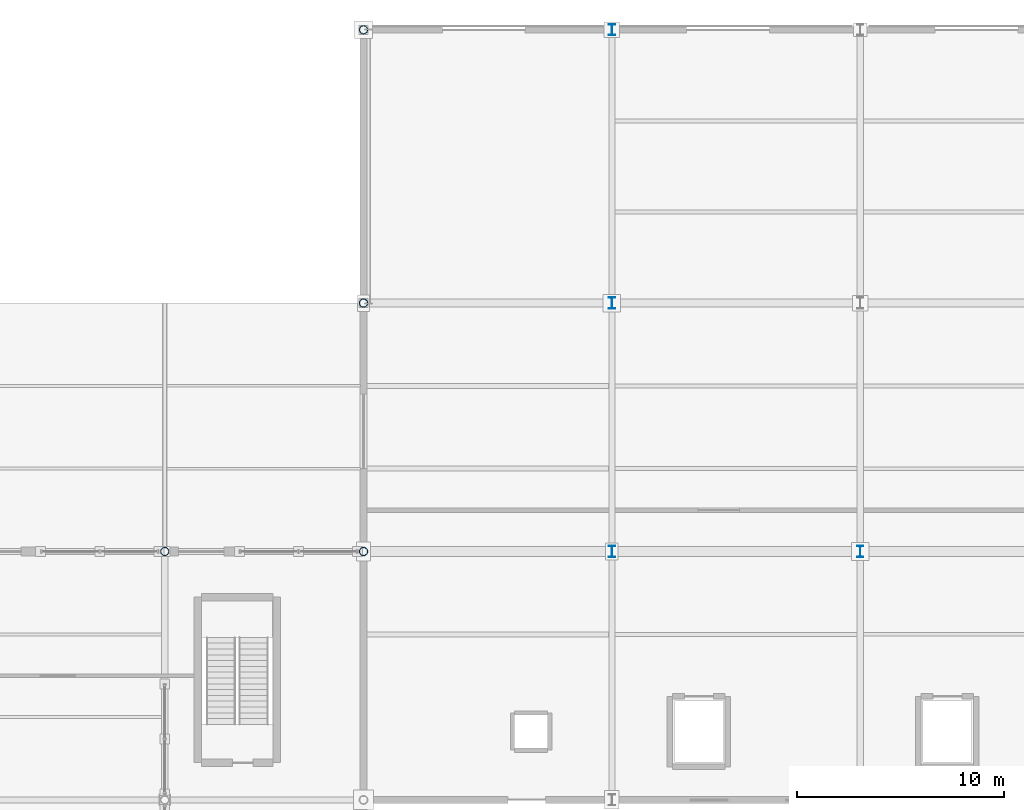
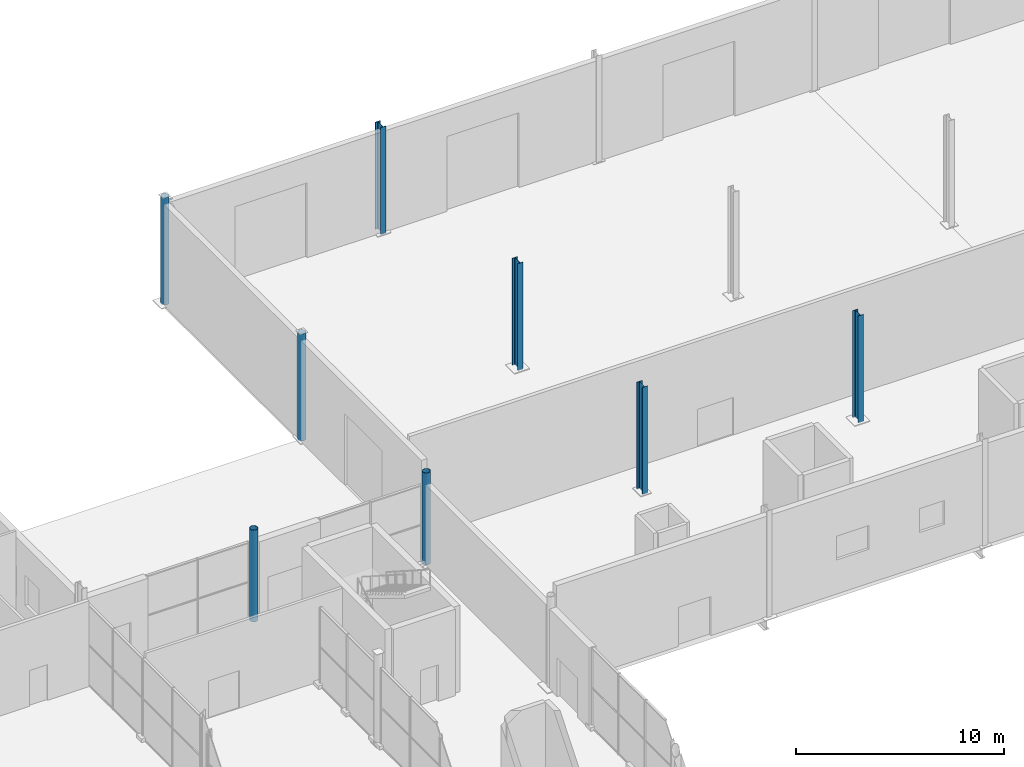
# One storey, part 15 of 196: 8 columns.
"""IFC4 building model written with IfcOpenShell, lengths in metres."""

import ifcopenshell
import ifcopenshell.guid

model = None  # the IFC model being written
_history = None  # IfcOwnerHistory: only IFC2X3 demands one
_inside = {}  # id of a spatial element -> (the spatial element, [elements in it])
_under = {}  # id of a project, library or spatial element -> (it, [spatial elements below it])
_declared = {}  # id of a project -> (the project, [libraries it declares])
_typed = {}  # id of a type object -> (the type object, [elements of that type])
_made_of = {}  # id of a material, layer set ... -> (it, [elements and type objects made of it])


def new_model(schema):
    """Start an empty IFC model of exactly this schema.

    Asked for "IFC4X3", IfcOpenShell would pick the latest addendum, in which some entities
    have other attributes; the version numbers below select the first issue.
    IFC2X3 requires an IfcOwnerHistory on every rooted entity: one is made here for all.
    """
    global model, _history
    if schema == "IFC4X3":
        model = ifcopenshell.file(schema_version=(4, 3, 0, 0))
    else:
        model = ifcopenshell.file(schema=schema)
    _inside.clear()
    _under.clear()
    _declared.clear()
    _typed.clear()
    _made_of.clear()
    _history = None
    if model.schema == "IFC2X3":
        org = make("IfcOrganization", Name="unknown")
        user = make(
            "IfcPersonAndOrganization",
            ThePerson=make("IfcPerson", FamilyName="unknown"),
            TheOrganization=org,
        )
        app = make(
            "IfcApplication",
            ApplicationDeveloper=org,
            Version="unknown",
            ApplicationFullName="unknown",
            ApplicationIdentifier="unknown",
        )
        _history = make(
            "IfcOwnerHistory",
            OwningUser=user,
            OwningApplication=app,
            ChangeAction="ADDED",
            CreationDate=0,
        )
    return model


def make(cls, **values):
    """One entity of the class cls with the attributes given. An attribute that is None is left unset."""
    return model.create_entity(
        cls, **{name: value for name, value in values.items() if value is not None}
    )


def rooted(cls, **values):
    """An entity with a GlobalId (a new one), such as an element, a storey or a relation."""
    return make(cls, GlobalId=ifcopenshell.guid.new(), OwnerHistory=_history, **values)


def si_unit(unit_type, name, prefix=None):
    """IfcSIUnit, for example si_unit("LENGTHUNIT", "METRE", prefix="MILLI")."""
    return make("IfcSIUnit", UnitType=unit_type, Prefix=prefix, Name=name)


def assignment(units):
    """IfcUnitAssignment: the units of a project."""
    return None if units is None else make("IfcUnitAssignment", Units=units)


def point(xyz):
    """IfcCartesianPoint."""
    return None if xyz is None else make("IfcCartesianPoint", Coordinates=xyz)


def direction(xyz):
    """IfcDirection."""
    return None if xyz is None else make("IfcDirection", DirectionRatios=xyz)


def frame(location, z_axis=None, x_axis=None):
    """IfcAxis2Placement3D, a coordinate frame: its origin and axes. An axis left out is left unset."""
    return make(
        "IfcAxis2Placement3D",
        Location=point(location),
        Axis=direction(z_axis),
        RefDirection=direction(x_axis),
    )


def frame_2d(location, x_axis=None):
    """IfcAxis2Placement2D, a coordinate frame in the plane: its origin and x axis."""
    return make(
        "IfcAxis2Placement2D", Location=point(location), RefDirection=direction(x_axis)
    )


def origin():
    """The frame at (0, 0, 0) with its axes left unset."""
    return frame((0.0, 0.0, 0.0))


def origin_2d():
    """The frame at (0, 0) in the plane with its x axis left unset."""
    return frame_2d((0.0, 0.0))


def place(relative_to, where):
    """IfcLocalPlacement: puts the frame where relative to a parent placement (None: the world)."""
    return make(
        "IfcLocalPlacement", PlacementRelTo=relative_to, RelativePlacement=where
    )


def context(
    kind, dimensions, precision=None, world=None, true_north=None, identifier=None
):
    """IfcGeometricRepresentationContext, for example the 3D "Model" context."""
    return make(
        "IfcGeometricRepresentationContext",
        ContextIdentifier=identifier,
        ContextType=kind,
        CoordinateSpaceDimension=dimensions,
        Precision=precision,
        WorldCoordinateSystem=world,
        TrueNorth=true_north,
    )


def subcontext(parent, identifier, kind, view, scale=None):
    """IfcGeometricRepresentationSubContext, for example "Body" below "Model"."""
    return make(
        "IfcGeometricRepresentationSubContext",
        ContextIdentifier=identifier,
        ContextType=kind,
        ParentContext=parent,
        TargetScale=scale,
        TargetView=view,
    )


def project(units=None, contexts=None):
    """IfcProject with its units and contexts."""
    return rooted(
        "IfcProject",
        Name="project",
        RepresentationContexts=contexts,
        UnitsInContext=assignment(units),
    )


def spatial(cls, under=None, at=None, **own):
    """A site, building, storey or space (cls), placed at a placement, below another one or the project."""
    s = rooted(cls, ObjectPlacement=at, **own)
    if under is not None:
        _under.setdefault(under.id(), (under, []))[1].append(s)
    return s


def profile(cls, at=None, kind="AREA", **sizes):
    """A parametric profile (cls). Its sizes go by their IFC names, for example OverallWidth=200.0."""
    return make(cls, ProfileType=kind, Position=at, **sizes)


def hollow_circle(**sizes):
    """IfcCircleHollowProfileDef."""
    return profile("IfcCircleHollowProfileDef", **sizes)


def i_section(**sizes):
    """IfcIShapeProfileDef."""
    return profile("IfcIShapeProfileDef", **sizes)


def extrude(swept, where, along, depth):
    """IfcExtrudedAreaSolid: the profile swept, set in the frame where, extruded along a direction by depth."""
    return make(
        "IfcExtrudedAreaSolid",
        SweptArea=swept,
        Position=where,
        ExtrudedDirection=direction(along),
        Depth=depth,
    )


def shape(context_of_items, identifier, shape_type, items):
    """IfcShapeRepresentation: the items that make up one representation, for example the "Body"."""
    return make(
        "IfcShapeRepresentation",
        ContextOfItems=context_of_items,
        RepresentationIdentifier=identifier,
        RepresentationType=shape_type,
        Items=items,
    )


def material(Name=None, Category=None):
    """IfcMaterial."""
    return make("IfcMaterial", Name=Name, Category=Category)


def material_profile(
    of_material, cross_section, Name=None, Category=None, Priority=None
):
    """IfcMaterialProfile: a cross section and its material."""
    return make(
        "IfcMaterialProfile",
        Name=Name,
        Material=of_material,
        Profile=cross_section,
        Priority=Priority,
        Category=Category,
    )


def profile_set(profiles, Name=None, composite=None):
    """IfcMaterialProfileSet."""
    return make(
        "IfcMaterialProfileSet",
        Name=Name,
        MaterialProfiles=profiles,
        CompositeProfile=composite,
    )


def made_of(thing, what):
    """Note that an element or type object is made of a material, layer set ...; save() writes the relation."""
    if what is not None:
        _made_of.setdefault(what.id(), (what, []))[1].append(thing)
    return thing


def type_object(cls, material=None, **own):
    """A type object (cls), such as IfcWallType, which elements share."""
    return made_of(rooted(cls, **own), material)


def element(
    cls,
    number,
    at=None,
    inside=None,
    cuts=None,
    type_object=None,
    material=None,
    context=None,
    identifier="Body",
    shape_type=None,
    held_by="IfcProductDefinitionShape",
    body=None,
    shapes=None,
    **own,
):
    """One element of the class cls, such as IfcWall. Its Tag is "e" and its number.

    at: its placement. inside: the storey or other place that contains it. cuts: it is an
    opening in that element (IfcRelVoidsElement). A single representation is given by context,
    identifier, shape_type and body (its items); several are given by shapes. held_by: the class
    of the entity that holds the representations. save() writes the other relations.
    """
    e = rooted(cls, Tag="e%d" % number, ObjectPlacement=at, **own)
    if body is not None:
        shapes = [shape(context, identifier, shape_type, body)]
    if shapes is not None:
        e.Representation = make(held_by, Representations=shapes)
    if inside is not None:
        _inside.setdefault(inside.id(), (inside, []))[1].append(e)
    if cuts is not None:
        rooted(
            "IfcRelVoidsElement", RelatingBuildingElement=cuts, RelatedOpeningElement=e
        )
    if type_object is not None:
        _typed.setdefault(type_object.id(), (type_object, []))[1].append(e)
    return made_of(e, material)


def aggregate(whole, parts):
    """IfcRelAggregates: a whole, such as a stair, and the parts it consists of."""
    return rooted("IfcRelAggregates", RelatingObject=whole, RelatedObjects=parts)


def save(model, path):
    """Write the relations noted so far, then the file.

    IfcRelAggregates (storeys below a building ...), IfcRelContainedInSpatialStructure (elements
    in a storey), IfcRelDefinesByType, IfcRelAssociatesMaterial and IfcRelDeclares: one each for
    every whole, place, type object, material and project.
    """
    for whole, parts in _under.values():
        aggregate(whole, parts)
    for where, things in _inside.values():
        rooted(
            "IfcRelContainedInSpatialStructure",
            RelatedElements=things,
            RelatingStructure=where,
        )
    for kind, things in _typed.values():
        rooted("IfcRelDefinesByType", RelatedObjects=things, RelatingType=kind)
    for what, things in _made_of.values():
        rooted("IfcRelAssociatesMaterial", RelatedObjects=things, RelatingMaterial=what)
    for by, libraries in _declared.values():
        rooted("IfcRelDeclares", RelatingContext=by, RelatedDefinitions=libraries)
    model.write(path)


model = new_model("IFC4")

# Units and contexts
model_context = context("Model", 3, precision=1e-05, world=origin(), true_north=direction((0.0, 1.0)))
body_context = subcontext(model_context, "Body", "Model", "MODEL_VIEW")
ifc_project = project(units=[si_unit("LENGTHUNIT", "METRE"), si_unit("AREAUNIT", "SQUARE_METRE"), si_unit("VOLUMEUNIT", "CUBIC_METRE"), si_unit("PLANEANGLEUNIT", "RADIAN"), si_unit("MASSUNIT", "GRAM", prefix="KILO")], contexts=[model_context])

# Site, building, storey
site_placement = place(None, origin())
site = spatial("IfcSite", under=ifc_project, at=site_placement, CompositionType="ELEMENT")
building_placement = place(site_placement, origin())
building = spatial("IfcBuilding", under=site, at=building_placement, Name="Merenkruunu Market Hall", CompositionType="ELEMENT")
storey_placement = place(building_placement, origin())
storey = spatial("IfcBuildingStorey", under=building, at=storey_placement, Name="L00", CompositionType="ELEMENT", Elevation=0.0)

# Columns
ifc_material_1 = material(Name="Steel S355J2", Category="steel")
ifc_material_profile_1 = material_profile(ifc_material_1, i_section(OverallWidth=0.300048828125, OverallDepth=0.5400390625, WebThickness=0.012451171875, FlangeThickness=0.02392578125, FilletRadius=0.027099609375, at=origin_2d()), Name="HEA 550")
ifc_profile_set_1 = profile_set([ifc_material_profile_1], Name="Steel S355J2")
column_type_1 = type_object("IfcColumnType", Name="Structural Column C06", PredefinedType="COLUMN", material=ifc_profile_set_1)
for number, where, z_axis, x_axis, name in (
    (1, (88.800048828125, 99.60009765625, 0.0), (0.0, 0.0, 1.0), (1.0, 0.0, 0.0), "COL-L00-K-11"),
    (2, (88.800048828125, 111.60009765625, 0.0), (0.0, 0.0, 1.0), (1.0, 0.0, 0.0), "COL-L00-K-12"),
    (3, (88.800048828125, 124.800048828125, 0.0), (0.0, 0.0, 1.0), (1.0, 0.0, 0.0), "COL-L00-K-13"),
    (4, (100.800048828125, 99.60009765625, 0.0), (0.0, 0.0, 1.0), (1.0, 0.0, 0.0), "COL-L00-L-11"),
):
    element("IfcColumn", number, at=place(storey_placement, frame(where, z_axis=z_axis, x_axis=x_axis)), inside=storey, type_object=column_type_1, Name=name, PredefinedType="COLUMN", context=body_context, shape_type="SweptSolid", body=[
        extrude(i_section(OverallWidth=0.300048828125, OverallDepth=0.5400390625, WebThickness=0.012451171875, FlangeThickness=0.02392578125, FilletRadius=0.027099609375, at=origin_2d()), origin(), (0.0, 0.0, 1.0), 6.300048828125),
    ])
ifc_material_2 = material(Name="Steel S355ML", Category="steel")
ifc_material_profile_2 = material_profile(ifc_material_2, hollow_circle(Radius=0.203125, WallThickness=0.01611328125, at=origin_2d()), Name="CHS 406.4x16")
ifc_profile_set_2 = profile_set([ifc_material_profile_2], Name="Steel S355ML")
column_type_2 = type_object("IfcColumnType", Name="Structural Column C12", PredefinedType="COLUMN", material=ifc_profile_set_2)
for number, where, z_axis, x_axis, name in (
    (5, (67.199951171875, 99.60009765625, 0.0), (0.0, 0.0, 1.0), (1.0, 0.0, 0.0), "COL-L00-H-11"),
    (6, (76.800048828125, 99.60009765625, 0.0), (0.0, 0.0, 1.0), (1.0, 0.0, 0.0), "COL-L00-J-11"),
):
    element("IfcColumn", number, at=place(storey_placement, frame(where, z_axis=z_axis, x_axis=x_axis)), inside=storey, type_object=column_type_2, Name=name, PredefinedType="COLUMN", context=body_context, shape_type="SweptSolid", body=[
        extrude(hollow_circle(Radius=0.203125, WallThickness=0.01611328125, at=origin_2d()), origin(), (0.0, 0.0, 1.0), 5.39990234375),
    ])
for number, where, z_axis, x_axis, name in (
    (7, (76.800048828125, 111.60009765625, 0.0), (0.0, 0.0, 1.0), (1.0, 0.0, 0.0), "COL-L00-J-12"),
    (8, (76.800048828125, 124.800048828125, 0.0), (0.0, 0.0, 1.0), (1.0, 0.0, 0.0), "COL-L00-J-13"),
):
    element("IfcColumn", number, at=place(storey_placement, frame(where, z_axis=z_axis, x_axis=x_axis)), inside=storey, type_object=column_type_2, Name=name, PredefinedType="COLUMN", context=body_context, shape_type="SweptSolid", body=[
        extrude(hollow_circle(Radius=0.203125, WallThickness=0.01611328125, at=origin_2d()), origin(), (0.0, 0.0, 1.0), 6.300048828125),
    ])

save(model, "model.ifc")
